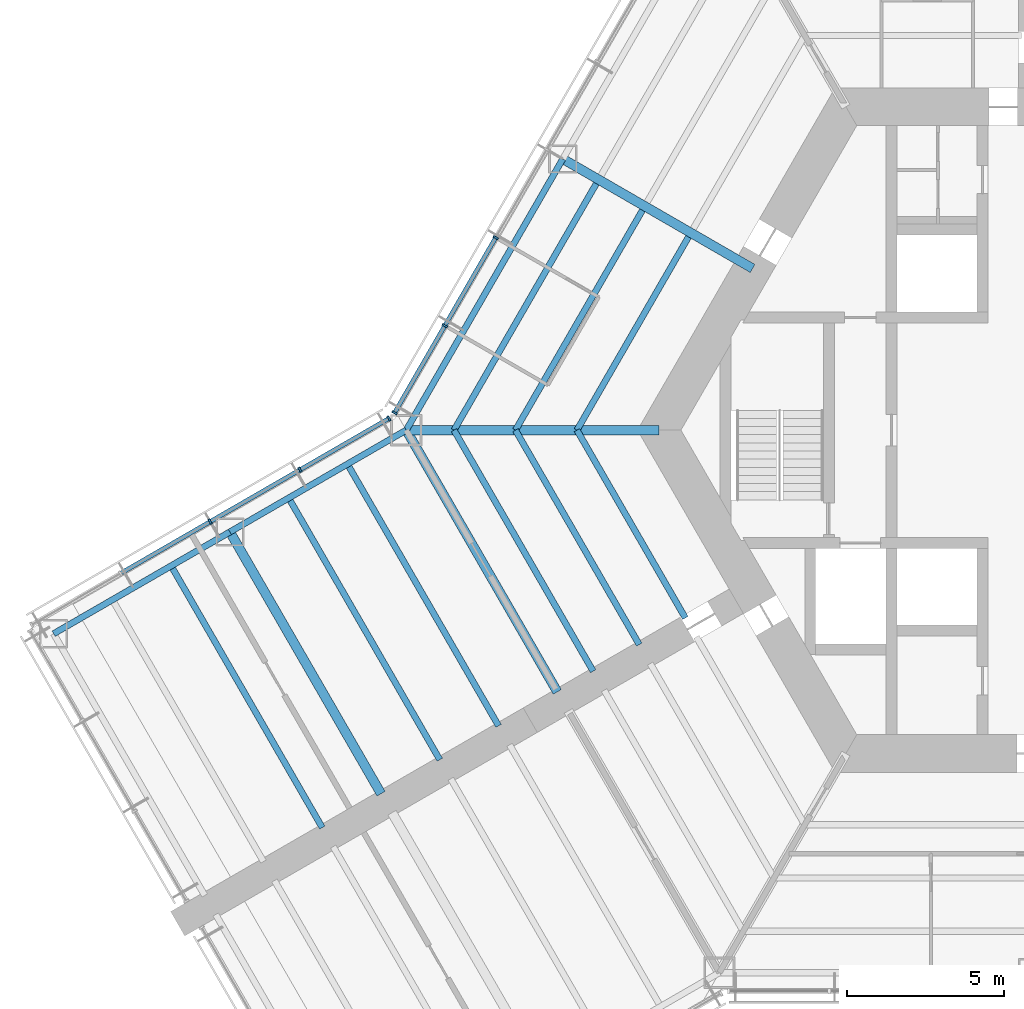
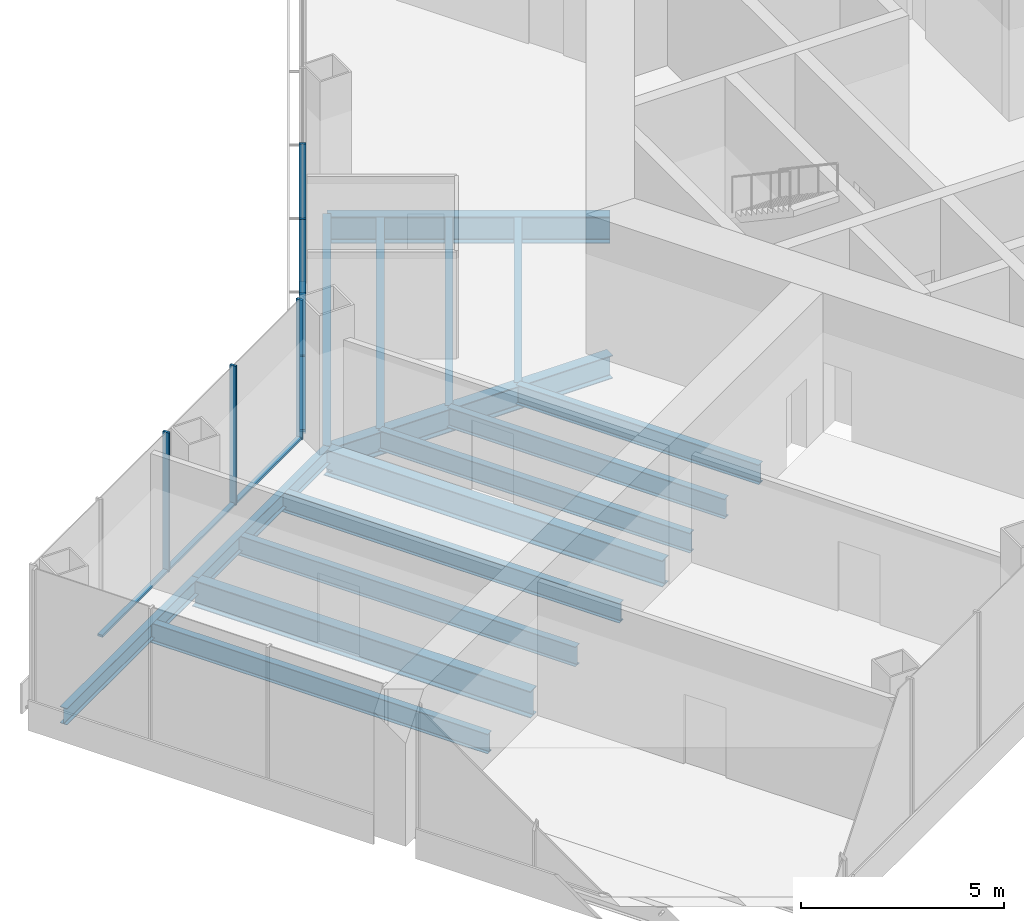
# One storey, part 3 of 16: 16 beams, 11 members, 2 elements without a shape of their own.
"""IFC4 building model written with IfcOpenShell, lengths in metres."""

import ifcopenshell
import ifcopenshell.guid

model = None  # the IFC model being written
_history = None  # IfcOwnerHistory: only IFC2X3 demands one
_inside = {}  # id of a spatial element -> (the spatial element, [elements in it])
_under = {}  # id of a project, library or spatial element -> (it, [spatial elements below it])
_declared = {}  # id of a project -> (the project, [libraries it declares])
_typed = {}  # id of a type object -> (the type object, [elements of that type])
_made_of = {}  # id of a material, layer set ... -> (it, [elements and type objects made of it])


def new_model(schema):
    """Start an empty IFC model of exactly this schema.

    Asked for "IFC4X3", IfcOpenShell would pick the latest addendum, in which some entities
    have other attributes; the version numbers below select the first issue.
    IFC2X3 requires an IfcOwnerHistory on every rooted entity: one is made here for all.
    """
    global model, _history
    if schema == "IFC4X3":
        model = ifcopenshell.file(schema_version=(4, 3, 0, 0))
    else:
        model = ifcopenshell.file(schema=schema)
    _inside.clear()
    _under.clear()
    _declared.clear()
    _typed.clear()
    _made_of.clear()
    _history = None
    if model.schema == "IFC2X3":
        org = make("IfcOrganization", Name="unknown")
        user = make(
            "IfcPersonAndOrganization",
            ThePerson=make("IfcPerson", FamilyName="unknown"),
            TheOrganization=org,
        )
        app = make(
            "IfcApplication",
            ApplicationDeveloper=org,
            Version="unknown",
            ApplicationFullName="unknown",
            ApplicationIdentifier="unknown",
        )
        _history = make(
            "IfcOwnerHistory",
            OwningUser=user,
            OwningApplication=app,
            ChangeAction="ADDED",
            CreationDate=0,
        )
    return model


def make(cls, **values):
    """One entity of the class cls with the attributes given. An attribute that is None is left unset."""
    return model.create_entity(
        cls, **{name: value for name, value in values.items() if value is not None}
    )


def rooted(cls, **values):
    """An entity with a GlobalId (a new one), such as an element, a storey or a relation."""
    return make(cls, GlobalId=ifcopenshell.guid.new(), OwnerHistory=_history, **values)


def si_unit(unit_type, name, prefix=None):
    """IfcSIUnit, for example si_unit("LENGTHUNIT", "METRE", prefix="MILLI")."""
    return make("IfcSIUnit", UnitType=unit_type, Prefix=prefix, Name=name)


def assignment(units):
    """IfcUnitAssignment: the units of a project."""
    return None if units is None else make("IfcUnitAssignment", Units=units)


def point(xyz):
    """IfcCartesianPoint."""
    return None if xyz is None else make("IfcCartesianPoint", Coordinates=xyz)


def direction(xyz):
    """IfcDirection."""
    return None if xyz is None else make("IfcDirection", DirectionRatios=xyz)


def frame(location, z_axis=None, x_axis=None):
    """IfcAxis2Placement3D, a coordinate frame: its origin and axes. An axis left out is left unset."""
    return make(
        "IfcAxis2Placement3D",
        Location=point(location),
        Axis=direction(z_axis),
        RefDirection=direction(x_axis),
    )


def frame_2d(location, x_axis=None):
    """IfcAxis2Placement2D, a coordinate frame in the plane: its origin and x axis."""
    return make(
        "IfcAxis2Placement2D", Location=point(location), RefDirection=direction(x_axis)
    )


def origin():
    """The frame at (0, 0, 0) with its axes left unset."""
    return frame((0.0, 0.0, 0.0))


def origin_2d():
    """The frame at (0, 0) in the plane with its x axis left unset."""
    return frame_2d((0.0, 0.0))


def place(relative_to, where):
    """IfcLocalPlacement: puts the frame where relative to a parent placement (None: the world)."""
    return make(
        "IfcLocalPlacement", PlacementRelTo=relative_to, RelativePlacement=where
    )


def context(
    kind, dimensions, precision=None, world=None, true_north=None, identifier=None
):
    """IfcGeometricRepresentationContext, for example the 3D "Model" context."""
    return make(
        "IfcGeometricRepresentationContext",
        ContextIdentifier=identifier,
        ContextType=kind,
        CoordinateSpaceDimension=dimensions,
        Precision=precision,
        WorldCoordinateSystem=world,
        TrueNorth=true_north,
    )


def subcontext(parent, identifier, kind, view, scale=None):
    """IfcGeometricRepresentationSubContext, for example "Body" below "Model"."""
    return make(
        "IfcGeometricRepresentationSubContext",
        ContextIdentifier=identifier,
        ContextType=kind,
        ParentContext=parent,
        TargetScale=scale,
        TargetView=view,
    )


def project(units=None, contexts=None):
    """IfcProject with its units and contexts."""
    return rooted(
        "IfcProject",
        Name="project",
        RepresentationContexts=contexts,
        UnitsInContext=assignment(units),
    )


def spatial(cls, under=None, at=None, **own):
    """A site, building, storey or space (cls), placed at a placement, below another one or the project."""
    s = rooted(cls, ObjectPlacement=at, **own)
    if under is not None:
        _under.setdefault(under.id(), (under, []))[1].append(s)
    return s


def profile(cls, at=None, kind="AREA", **sizes):
    """A parametric profile (cls). Its sizes go by their IFC names, for example OverallWidth=200.0."""
    return make(cls, ProfileType=kind, Position=at, **sizes)


def rectangle(**sizes):
    """IfcRectangleProfileDef."""
    return profile("IfcRectangleProfileDef", **sizes)


def i_section(**sizes):
    """IfcIShapeProfileDef."""
    return profile("IfcIShapeProfileDef", **sizes)


def extrude(swept, where, along, depth):
    """IfcExtrudedAreaSolid: the profile swept, set in the frame where, extruded along a direction by depth."""
    return make(
        "IfcExtrudedAreaSolid",
        SweptArea=swept,
        Position=where,
        ExtrudedDirection=direction(along),
        Depth=depth,
    )


def shape(context_of_items, identifier, shape_type, items):
    """IfcShapeRepresentation: the items that make up one representation, for example the "Body"."""
    return make(
        "IfcShapeRepresentation",
        ContextOfItems=context_of_items,
        RepresentationIdentifier=identifier,
        RepresentationType=shape_type,
        Items=items,
    )


def material(Name=None, Category=None):
    """IfcMaterial."""
    return make("IfcMaterial", Name=Name, Category=Category)


def material_profile(
    of_material, cross_section, Name=None, Category=None, Priority=None
):
    """IfcMaterialProfile: a cross section and its material."""
    return make(
        "IfcMaterialProfile",
        Name=Name,
        Material=of_material,
        Profile=cross_section,
        Priority=Priority,
        Category=Category,
    )


def profile_set(profiles, Name=None, composite=None):
    """IfcMaterialProfileSet."""
    return make(
        "IfcMaterialProfileSet",
        Name=Name,
        MaterialProfiles=profiles,
        CompositeProfile=composite,
    )


def made_of(thing, what):
    """Note that an element or type object is made of a material, layer set ...; save() writes the relation."""
    if what is not None:
        _made_of.setdefault(what.id(), (what, []))[1].append(thing)
    return thing


def type_object(cls, material=None, **own):
    """A type object (cls), such as IfcWallType, which elements share."""
    return made_of(rooted(cls, **own), material)


def element(
    cls,
    number,
    at=None,
    inside=None,
    cuts=None,
    type_object=None,
    material=None,
    context=None,
    identifier="Body",
    shape_type=None,
    held_by="IfcProductDefinitionShape",
    body=None,
    shapes=None,
    **own,
):
    """One element of the class cls, such as IfcWall. Its Tag is "e" and its number.

    at: its placement. inside: the storey or other place that contains it. cuts: it is an
    opening in that element (IfcRelVoidsElement). A single representation is given by context,
    identifier, shape_type and body (its items); several are given by shapes. held_by: the class
    of the entity that holds the representations. save() writes the other relations.
    """
    e = rooted(cls, Tag="e%d" % number, ObjectPlacement=at, **own)
    if body is not None:
        shapes = [shape(context, identifier, shape_type, body)]
    if shapes is not None:
        e.Representation = make(held_by, Representations=shapes)
    if inside is not None:
        _inside.setdefault(inside.id(), (inside, []))[1].append(e)
    if cuts is not None:
        rooted(
            "IfcRelVoidsElement", RelatingBuildingElement=cuts, RelatedOpeningElement=e
        )
    if type_object is not None:
        _typed.setdefault(type_object.id(), (type_object, []))[1].append(e)
    return made_of(e, material)


def aggregate(whole, parts):
    """IfcRelAggregates: a whole, such as a stair, and the parts it consists of."""
    return rooted("IfcRelAggregates", RelatingObject=whole, RelatedObjects=parts)


def save(model, path):
    """Write the relations noted so far, then the file.

    IfcRelAggregates (storeys below a building ...), IfcRelContainedInSpatialStructure (elements
    in a storey), IfcRelDefinesByType, IfcRelAssociatesMaterial and IfcRelDeclares: one each for
    every whole, place, type object, material and project.
    """
    for whole, parts in _under.values():
        aggregate(whole, parts)
    for where, things in _inside.values():
        rooted(
            "IfcRelContainedInSpatialStructure",
            RelatedElements=things,
            RelatingStructure=where,
        )
    for kind, things in _typed.values():
        rooted("IfcRelDefinesByType", RelatedObjects=things, RelatingType=kind)
    for what, things in _made_of.values():
        rooted("IfcRelAssociatesMaterial", RelatedObjects=things, RelatingMaterial=what)
    for by, libraries in _declared.values():
        rooted("IfcRelDeclares", RelatingContext=by, RelatedDefinitions=libraries)
    model.write(path)


model = new_model("IFC4")

# Units and contexts
model_context = context("Model", 3, precision=1e-05, world=origin(), true_north=direction((0.0, 1.0)))
body_context = subcontext(model_context, "Body", "Model", "MODEL_VIEW")
ifc_project = project(units=[si_unit("LENGTHUNIT", "METRE"), si_unit("AREAUNIT", "SQUARE_METRE"), si_unit("VOLUMEUNIT", "CUBIC_METRE"), si_unit("PLANEANGLEUNIT", "RADIAN"), si_unit("MASSUNIT", "GRAM", prefix="KILO")], contexts=[model_context])

# Site, building, storey
site_placement = place(None, origin())
site = spatial("IfcSite", under=ifc_project, at=site_placement, CompositionType="ELEMENT")
building_placement = place(site_placement, origin())
building = spatial("IfcBuilding", under=site, at=building_placement, Name="Kasaneha Research Tower", CompositionType="ELEMENT")
storey_placement = place(building_placement, frame((0.0, 0.0, 26.800048828125)))
storey = spatial("IfcBuildingStorey", under=building, at=storey_placement, Name="L07", CompositionType="ELEMENT", Elevation=26.800048828125)

# Beams
ifc_material_1 = material(Name="Steel SN490B", Category="steel")
ifc_material_profile_1 = material_profile(ifc_material_1, i_section(OverallWidth=0.199951171875, OverallDepth=0.60009765625, WebThickness=0.010986328125, FlangeThickness=0.01708984375, FilletRadius=0.012939453125, at=origin_2d()), Name="H-600x200x11x17")
ifc_profile_set_1 = profile_set([ifc_material_profile_1], Name="Steel SN490B")
beam_type_1 = type_object("IfcBeamType", Name="B1-1 secondary beam H-600x200x11x17", PredefinedType="JOIST", material=ifc_profile_set_1)
beam_1_placement = place(storey_placement, frame((-14.54931640625, 0.0, -0.5), z_axis=(0.500016104636, 0.866016105569, 0.0), x_axis=(-0.866016105569, 0.500016104636, 0.0)))
element("IfcBeam", 1, at=beam_1_placement, inside=storey, type_object=beam_type_1, Name="Secondary beam RS150R1 L07", PredefinedType="JOIST", context=body_context, shape_type="SweptSolid", body=[
    extrude(i_section(OverallWidth=0.199951171875, OverallDepth=0.60009765625, WebThickness=0.010986328125, FlangeThickness=0.01708984375, FilletRadius=0.012939453125, at=origin_2d()), origin(), (0.0, 0.0, 1.0), 7.124755859375),
])
beam_2_placement = place(storey_placement, frame((-16.51220703125, 0.0, -0.5), z_axis=(0.49999707157, 0.866027094508, 0.0), x_axis=(-0.866027094508, 0.49999707157, 0.0)))
element("IfcBeam", 2, at=beam_2_placement, inside=storey, type_object=beam_type_1, Name="Secondary beam RS150R2 L07", PredefinedType="JOIST", context=body_context, shape_type="SweptSolid", body=[
    extrude(i_section(OverallWidth=0.199951171875, OverallDepth=0.60009765625, WebThickness=0.010986328125, FlangeThickness=0.01708984375, FilletRadius=0.012939453125, at=origin_2d()), origin(), (0.0, 0.0, 1.0), 8.10595703125),
])
beam_3_placement = place(storey_placement, frame((-18.47509765625, 0.0, -0.5), z_axis=(0.499990665392, 0.866030793056, 0.0), x_axis=(-0.866030793056, 0.499990665392, 0.0)))
element("IfcBeam", 3, at=beam_3_placement, inside=storey, type_object=beam_type_1, Name="Secondary beam RS150R3 L07", PredefinedType="JOIST", context=body_context, shape_type="SweptSolid", body=[
    extrude(i_section(OverallWidth=0.199951171875, OverallDepth=0.60009765625, WebThickness=0.010986328125, FlangeThickness=0.01708984375, FilletRadius=0.012939453125, at=origin_2d()), origin(), (0.0, 0.0, 1.0), 9.087646484375),
])
beam_4_placement = place(storey_placement, frame((-14.54931640625, 0.0, -0.5), z_axis=(0.500014420154, -0.866017078145, 0.0), x_axis=(0.866017078145, 0.500014420154, 0.0)))
element("IfcBeam", 4, at=beam_4_placement, inside=storey, type_object=beam_type_1, Name="Secondary beam RS210L1 L07", PredefinedType="JOIST", context=body_context, shape_type="SweptSolid", body=[
    extrude(i_section(OverallWidth=0.199951171875, OverallDepth=0.60009765625, WebThickness=0.010986328125, FlangeThickness=0.01708984375, FilletRadius=0.012939453125, at=origin_2d()), origin(), (0.0, 0.0, 1.0), 6.924560546875),
])
beam_5_placement = place(storey_placement, frame((-16.51220703125, 0.0, -0.5), z_axis=(0.500004902938, -0.866022573054, 0.0), x_axis=(0.866022573054, 0.500004902938, 0.0)))
element("IfcBeam", 5, at=beam_5_placement, inside=storey, type_object=beam_type_1, Name="Secondary beam RS210L2 L07", PredefinedType="JOIST", context=body_context, shape_type="SweptSolid", body=[
    extrude(i_section(OverallWidth=0.199951171875, OverallDepth=0.60009765625, WebThickness=0.010986328125, FlangeThickness=0.01708984375, FilletRadius=0.012939453125, at=origin_2d()), origin(), (0.0, 0.0, 1.0), 7.90625),
])
beam_6_placement = place(storey_placement, frame((-18.47509765625, 0.0, -0.5), z_axis=(0.499988779951, -0.866031881586, 0.0), x_axis=(0.866031881586, 0.499988779951, 0.0)))
element("IfcBeam", 6, at=beam_6_placement, inside=storey, type_object=beam_type_1, Name="Secondary beam RS210L3 L07", PredefinedType="JOIST", context=body_context, shape_type="SweptSolid", body=[
    extrude(i_section(OverallWidth=0.199951171875, OverallDepth=0.60009765625, WebThickness=0.010986328125, FlangeThickness=0.01708984375, FilletRadius=0.012939453125, at=origin_2d()), origin(), (0.0, 0.0, 1.0), 8.887451171875),
])
ifc_material_2 = material(Name="Steel SN490B", Category="steel")
ifc_material_profile_2 = material_profile(ifc_material_2, i_section(OverallWidth=0.198974609375, OverallDepth=0.595947265625, WebThickness=0.010009765625, FlangeThickness=0.014892578125, FilletRadius=0.012939453125, at=origin_2d()), Name="H-596x199x10x15")
ifc_profile_set_2 = profile_set([ifc_material_profile_2], Name="Steel SN490B")
beam_type_2 = type_object("IfcBeamType", Name="B2-1 secondary beam H-596x199x10x15", PredefinedType="JOIST", material=ifc_profile_set_2)
beam_7_placement = place(storey_placement, frame((-21.87646484375, -1.083251953125, -0.498046875), z_axis=(0.500013717211, -0.866017484004, 0.0), x_axis=(0.866017484004, 0.500013717211, 0.0)))
element("IfcBeam", 7, at=beam_7_placement, inside=storey, type_object=beam_type_2, Name="Secondary beam WBBP1 L07", PredefinedType="JOIST", context=body_context, shape_type="SweptSolid", body=[
    extrude(i_section(OverallWidth=0.198974609375, OverallDepth=0.595947265625, WebThickness=0.010009765625, FlangeThickness=0.014892578125, FilletRadius=0.012939453125, at=origin_2d()), origin(), (0.0, 0.0, 1.0), 9.650146484375),
])
for number, where, z_axis, x_axis, name in (
    (8, (-23.752685546875, -2.166748046875, -0.498046875), (0.499994742786, -0.866028439017, 0.0), (0.866028439017, 0.499994742786, 0.0), "Secondary beam WBBP2 L07"),
    (9, (-27.505615234375, -4.333251953125, -0.498046875), (0.499994742786, -0.866028439017, 0.0), (0.866028439017, 0.499994742786, 0.0), "Secondary beam WBBP3 L07"),
):
    element("IfcBeam", number, at=place(storey_placement, frame(where, z_axis=z_axis, x_axis=x_axis)), inside=storey, type_object=beam_type_2, Name=name, PredefinedType="JOIST", context=body_context, shape_type="SweptSolid", body=[
        extrude(i_section(OverallWidth=0.198974609375, OverallDepth=0.595947265625, WebThickness=0.010009765625, FlangeThickness=0.014892578125, FilletRadius=0.012939453125, at=origin_2d()), origin(), (0.0, 0.0, 1.0), 9.64990234375),
    ])

# Curtain wall, members
ifc_material_3 = material(Name="Glass and aluminium", Category="aluminium")
curtain_wall_type = type_object("IfcCurtainWallType", Name="Wet laboratory curtain wall", PredefinedType="USERDEFINED", material=ifc_material_3)
curtain_wall_1_placement = place(storey_placement, origin())
curtain_wall_1 = element("IfcCurtainWall", 10, at=curtain_wall_1_placement, inside=storey, type_object=curtain_wall_type, Name="CW-L1 L07 run 12a", ObjectType="UNITISED CURTAIN WALL", PredefinedType="USERDEFINED")
ifc_material_4 = material(Name="Aluminium 6063-T6", Category="aluminium")
ifc_material_profile_3 = material_profile(ifc_material_4, rectangle(XDim=0.06494140625, YDim=0.179931640625, at=origin_2d()), Name="CW-L1 mullion 65x180")
ifc_profile_set_3 = profile_set([ifc_material_profile_3], Name="Aluminium 6063-T6")
member_type_1 = type_object("IfcMemberType", Name="CW-L1 mullion", PredefinedType="MULLION", material=ifc_profile_set_3)
member_1_placement = place(storey_placement, frame((-17.142822265625, 6.148681640625, 0.0), z_axis=(0.0, 0.0, 1.0), x_axis=(-0.49999996188, -0.866025425793, 0.0)))
member_1 = element("IfcMember", 11, at=member_1_placement, type_object=member_type_1, Name="CW-L1 mullion 5", PredefinedType="MULLION", context=body_context, shape_type="SweptSolid", body=[
    extrude(rectangle(XDim=0.06494140625, YDim=0.179931640625, at=origin_2d()), origin(), (0.0, 0.0, 1.0), 4.199951171875),
])
member_2_placement = place(storey_placement, frame((-18.76611328125, 3.33740234375, 0.0), z_axis=(0.0, 0.0, 1.0), x_axis=(-0.49999996188, -0.866025425793, 0.0)))
member_2 = element("IfcMember", 12, at=member_2_placement, type_object=member_type_1, Name="CW-L1 mullion 6", PredefinedType="MULLION", context=body_context, shape_type="SweptSolid", body=[
    extrude(rectangle(XDim=0.06494140625, YDim=0.179931640625, at=origin_2d()), origin(), (0.0, 0.0, 1.0), 4.199951171875),
])
member_3_placement = place(storey_placement, frame((-20.373046875, 0.553955078125, 0.0), z_axis=(0.0, 0.0, 1.0), x_axis=(-0.49999996188, -0.866025425793, 0.0)))
member_3 = element("IfcMember", 13, at=member_3_placement, type_object=member_type_1, Name="CW-L1 mullion 7", PredefinedType="MULLION", context=body_context, shape_type="SweptSolid", body=[
    extrude(rectangle(XDim=0.06494140625, YDim=0.179931640625, at=origin_2d()), origin(), (0.0, 0.0, 1.0), 4.199951171875),
])

curtain_wall_2_placement = place(storey_placement, origin())
curtain_wall_2 = element("IfcCurtainWall", 14, at=curtain_wall_2_placement, inside=storey, type_object=curtain_wall_type, Name="CW-L1 L07 run 13a", ObjectType="UNITISED CURTAIN WALL", PredefinedType="USERDEFINED")
member_4_placement = place(storey_placement, frame((-20.553955078125, 0.373046875, 0.0), z_axis=(0.0, 0.0, 1.0), x_axis=(-0.866025411464, -0.499999986699, 0.0)))
member_4 = element("IfcMember", 15, at=member_4_placement, type_object=member_type_1, Name="CW-L1 mullion 1", PredefinedType="MULLION", context=body_context, shape_type="SweptSolid", body=[
    extrude(rectangle(XDim=0.06494140625, YDim=0.179931640625, at=origin_2d()), origin(), (0.0, 0.0, 1.0), 4.199951171875),
])
member_5_placement = place(storey_placement, frame((-23.39208984375, -1.265625, 0.0), z_axis=(0.0, 0.0, 1.0), x_axis=(-0.866025411464, -0.499999986699, 0.0)))
member_5 = element("IfcMember", 16, at=member_5_placement, type_object=member_type_1, Name="CW-L1 mullion 2", PredefinedType="MULLION", context=body_context, shape_type="SweptSolid", body=[
    extrude(rectangle(XDim=0.06494140625, YDim=0.179931640625, at=origin_2d()), origin(), (0.0, 0.0, 1.0), 4.199951171875),
])
member_6_placement = place(storey_placement, frame((-26.258544921875, -2.920654296875, 0.0), z_axis=(0.0, 0.0, 1.0), x_axis=(-0.866025411464, -0.499999986699, 0.0)))
member_6 = element("IfcMember", 17, at=member_6_placement, type_object=member_type_1, Name="CW-L1 mullion 3", PredefinedType="MULLION", context=body_context, shape_type="SweptSolid", body=[
    extrude(rectangle(XDim=0.06494140625, YDim=0.179931640625, at=origin_2d()), origin(), (0.0, 0.0, 1.0), 4.199951171875),
])

# Member
ifc_material_5 = material(Name="Aluminium 6063-T6", Category="aluminium")
ifc_material_profile_4 = material_profile(ifc_material_5, rectangle(XDim=0.139892578125, YDim=0.06494140625, at=origin_2d()), Name="CW-L1 transom 140x65")
ifc_profile_set_4 = profile_set([ifc_material_profile_4], Name="Aluminium 6063-T6")
member_type_2 = type_object("IfcMemberType", Name="CW-L1 transom", PredefinedType="USERDEFINED", material=ifc_profile_set_4)
member_7_placement = place(storey_placement, frame((-17.1591796875, 6.12060546875, 0.032470703125), z_axis=(-0.499977104415, -0.866038622153, 0.0), x_axis=(0.866038622153, -0.499977104415, 0.0)))
member_7 = element("IfcMember", 18, at=member_7_placement, type_object=member_type_2, Name="CW-L1 transom 5", ObjectType="TRANSOM", PredefinedType="USERDEFINED", context=body_context, shape_type="SweptSolid", body=[
    extrude(rectangle(XDim=0.139892578125, YDim=0.06494140625, at=origin_2d()), origin(), (0.0, 0.0, 1.0), 3.181396484375),
])

member_8_placement = place(storey_placement, frame((-18.7822265625, 3.30908203125, 0.032470703125), z_axis=(-0.49999985423, -0.866025487945, 0.0), x_axis=(0.866025487945, -0.49999985423, 0.0)))
member_8 = element("IfcMember", 19, at=member_8_placement, type_object=member_type_2, Name="CW-L1 transom 6", ObjectType="TRANSOM", PredefinedType="USERDEFINED", context=body_context, shape_type="SweptSolid", body=[
    extrude(rectangle(XDim=0.139892578125, YDim=0.06494140625, at=origin_2d()), origin(), (0.0, 0.0, 1.0), 3.14892578125),
])

aggregate(curtain_wall_1, [member_1, member_2, member_3, member_7, member_8])

member_9_placement = place(storey_placement, frame((-20.58203125, 0.356689453125, 0.032470703125), z_axis=(-0.866022320763, -0.500005339912, 0.0), x_axis=(0.500005339912, -0.866022320763, 0.0)))
member_9 = element("IfcMember", 20, at=member_9_placement, type_object=member_type_2, Name="CW-L1 transom 1", ObjectType="TRANSOM", PredefinedType="USERDEFINED", context=body_context, shape_type="SweptSolid", body=[
    extrude(rectangle(XDim=0.139892578125, YDim=0.06494140625, at=origin_2d()), origin(), (0.0, 0.0, 1.0), 3.21240234375),
])

member_10_placement = place(storey_placement, frame((-23.42041015625, -1.281982421875, 0.032470703125), z_axis=(-0.866035229914, -0.499982980259, 0.0), x_axis=(0.499982980259, -0.866035229914, 0.0)))
member_10 = element("IfcMember", 21, at=member_10_placement, type_object=member_type_2, Name="CW-L1 transom 2", ObjectType="TRANSOM", PredefinedType="USERDEFINED", context=body_context, shape_type="SweptSolid", body=[
    extrude(rectangle(XDim=0.139892578125, YDim=0.06494140625, at=origin_2d()), origin(), (0.0, 0.0, 1.0), 3.24462890625),
])

member_11_placement = place(storey_placement, frame((-26.28662109375, -2.936767578125, 0.032470703125), z_axis=(-0.866021460221, -0.500006830391, 0.0), x_axis=(0.500006830391, -0.866021460221, 0.0)))
member_11 = element("IfcMember", 22, at=member_11_placement, type_object=member_type_2, Name="CW-L1 transom 3", ObjectType="TRANSOM", PredefinedType="USERDEFINED", context=body_context, shape_type="SweptSolid", body=[
    extrude(rectangle(XDim=0.139892578125, YDim=0.06494140625, at=origin_2d()), origin(), (0.0, 0.0, 1.0), 3.2451171875),
])

aggregate(curtain_wall_2, [member_4, member_5, member_6, member_9, member_10, member_11])

# Beams
ifc_material_6 = material(Name="Steel SN490B", Category="steel")
ifc_material_profile_5 = material_profile(ifc_material_6, i_section(OverallWidth=0.300048828125, OverallDepth=0.699951171875, WebThickness=0.012939453125, FlangeThickness=0.02392578125, FilletRadius=0.01806640625, at=origin_2d()), Name="H-700x300x13x24")
ifc_profile_set_5 = profile_set([ifc_material_profile_5], Name="Steel SN490B")
beam_type_3 = type_object("IfcBeamType", Name="G1-1 radial girder H-700x300x13x24", PredefinedType="BEAM", material=ifc_profile_set_5)
beam_8_placement = place(storey_placement, frame((-11.92236328125, 0.0, -0.550048828125), z_axis=(-1.0, 0.0, 0.0), x_axis=(0.0, -1.0, 0.0)))
element("IfcBeam", 23, at=beam_8_placement, inside=storey, type_object=beam_type_3, Name="Radial girder RV180 L07", PredefinedType="BEAM", context=body_context, shape_type="SweptSolid", body=[
    extrude(i_section(OverallWidth=0.300048828125, OverallDepth=0.699951171875, WebThickness=0.012939453125, FlangeThickness=0.02392578125, FilletRadius=0.01806640625, at=origin_2d()), origin(), (0.0, 0.0, 1.0), 8.07763671875),
])
ifc_material_7 = material(Name="Steel SN490B", Category="steel")
ifc_material_profile_6 = material_profile(ifc_material_7, i_section(OverallWidth=0.300048828125, OverallDepth=0.800048828125, WebThickness=0.013916015625, FlangeThickness=0.02587890625, FilletRadius=0.01806640625, at=origin_2d()), Name="H-800x300x14x26")
ifc_profile_set_6 = profile_set([ifc_material_profile_6], Name="Steel SN490B")
beam_type_4 = type_object("IfcBeamType", Name="G2-1 radial girder H-800x300x14x26", PredefinedType="BEAM", material=ifc_profile_set_6)
beam_9_placement = place(storey_placement, frame((-8.941650390625, 5.16259765625, -0.60009765625), z_axis=(-0.866039713508, 0.499975214012, 0.0), x_axis=(-0.499975214012, -0.866039713508, 0.0)))
element("IfcBeam", 24, at=beam_9_placement, inside=storey, type_object=beam_type_4, Name="Radial girder RM150 L07", PredefinedType="BEAM", context=body_context, shape_type="SweptSolid", body=[
    extrude(i_section(OverallWidth=0.300048828125, OverallDepth=0.800048828125, WebThickness=0.013916015625, FlangeThickness=0.02587890625, FilletRadius=0.01806640625, at=origin_2d()), origin(), (0.0, 0.0, 1.0), 6.995361328125),
])
ifc_material_8 = material(Name="Steel SN490B", Category="steel")
ifc_material_profile_7 = material_profile(ifc_material_8, i_section(OverallWidth=0.300048828125, OverallDepth=0.7919921875, WebThickness=0.013916015625, FlangeThickness=0.02197265625, FilletRadius=0.01806640625, at=origin_2d()), Name="H-792x300x14x22")
ifc_profile_set_7 = profile_set([ifc_material_profile_7], Name="Steel SN490B")
beam_type_5 = type_object("IfcBeamType", Name="G3-1 plate edge girder H-792x300x14x22", PredefinedType="BEAM", material=ifc_profile_set_7)
beam_10_placement = place(storey_placement, frame((-20.0, 0.0, -0.595947265625), z_axis=(0.499994742786, -0.866028439017, 0.0), x_axis=(0.866028439017, 0.499994742786, 0.0)))
element("IfcBeam", 25, at=beam_10_placement, inside=storey, type_object=beam_type_5, Name="Plate edge girder PEBP L07", PredefinedType="BEAM", context=body_context, shape_type="SweptSolid", body=[
    extrude(i_section(OverallWidth=0.300048828125, OverallDepth=0.7919921875, WebThickness=0.013916015625, FlangeThickness=0.02197265625, FilletRadius=0.01806640625, at=origin_2d()), origin(), (0.0, 0.0, 1.0), 9.64990234375),
])
ifc_material_9 = material(Name="Steel SN490B", Category="steel")
ifc_material_profile_8 = material_profile(ifc_material_9, i_section(OverallWidth=0.300048828125, OverallDepth=0.800048828125, WebThickness=0.013916015625, FlangeThickness=0.02587890625, FilletRadius=0.01806640625, at=origin_2d()), Name="H-800x300x14x26")
ifc_profile_set_8 = profile_set([ifc_material_profile_8], Name="Steel SN490B")
beam_type_6 = type_object("IfcBeamType", Name="G4-1 wing girder H-800x300x14x26", PredefinedType="BEAM", material=ifc_profile_set_8)
beam_11_placement = place(storey_placement, frame((-25.629150390625, -3.25, -0.60009765625), z_axis=(0.499994742786, -0.866028439017, 0.0), x_axis=(0.866028439017, 0.499994742786, 0.0)))
element("IfcBeam", 26, at=beam_11_placement, inside=storey, type_object=beam_type_6, Name="Wing girder WGBP L07", PredefinedType="BEAM", context=body_context, shape_type="SweptSolid", body=[
    extrude(i_section(OverallWidth=0.300048828125, OverallDepth=0.800048828125, WebThickness=0.013916015625, FlangeThickness=0.02587890625, FilletRadius=0.01806640625, at=origin_2d()), origin(), (0.0, 0.0, 1.0), 9.64990234375),
])
ifc_material_10 = material(Name="Steel SN490B", Category="steel")
ifc_material_profile_9 = material_profile(ifc_material_10, i_section(OverallWidth=0.199951171875, OverallDepth=0.60009765625, WebThickness=0.010986328125, FlangeThickness=0.01708984375, FilletRadius=0.012939453125, at=origin_2d()), Name="H-600x200x11x17")
ifc_profile_set_9 = profile_set([ifc_material_profile_9], Name="Steel SN490B")
beam_type_7 = type_object("IfcBeamType", Name="SB1-1 spandrel beam H-600x200x11x17", PredefinedType="SPANDREL", material=ifc_profile_set_9)
beam_12_placement = place(storey_placement, frame((-20.0, 0.0, -0.5), z_axis=(0.500004234368, 0.866022959057, 0.0), x_axis=(-0.866022959057, 0.500004234368, 0.0)))
element("IfcBeam", 27, at=beam_12_placement, inside=storey, type_object=beam_type_7, Name="Spandrel beam SR150R L07", PredefinedType="SPANDREL", context=body_context, shape_type="SweptSolid", body=[
    extrude(i_section(OverallWidth=0.199951171875, OverallDepth=0.60009765625, WebThickness=0.010986328125, FlangeThickness=0.01708984375, FilletRadius=0.012939453125, at=origin_2d()), origin(), (0.0, 0.0, 1.0), 10.0),
])
ifc_material_11 = material(Name="Steel SN490B", Category="steel")
ifc_material_profile_10 = material_profile(ifc_material_11, i_section(OverallWidth=0.199951171875, OverallDepth=0.5, WebThickness=0.010009765625, FlangeThickness=0.01611328125, FilletRadius=0.012939453125, at=origin_2d()), Name="H-500x200x10x16")
ifc_profile_set_10 = profile_set([ifc_material_profile_10], Name="Steel SN490B")
beam_type_8 = type_object("IfcBeamType", Name="SB2-1 spandrel beam H-500x200x10x16", PredefinedType="SPANDREL", material=ifc_profile_set_10)
for number, where, z_axis, x_axis, name in (
    (28, (-20.0, 0.0, -0.449951171875), (-0.866024837091, -0.50000098154, 0.0), (0.50000098154, -0.866024837091, 0.0), "Spandrel beam WSBP1 L07"),
    (29, (-25.629150390625, -3.25, -0.449951171875), (-0.866024837091, -0.50000098154, 0.0), (0.50000098154, -0.866024837091, 0.0), "Spandrel beam WSBP2 L07"),
):
    element("IfcBeam", number, at=place(storey_placement, frame(where, z_axis=z_axis, x_axis=x_axis)), inside=storey, type_object=beam_type_8, Name=name, PredefinedType="SPANDREL", context=body_context, shape_type="SweptSolid", body=[
        extrude(i_section(OverallWidth=0.199951171875, OverallDepth=0.5, WebThickness=0.010009765625, FlangeThickness=0.01611328125, FilletRadius=0.012939453125, at=origin_2d()), origin(), (0.0, 0.0, 1.0), 6.5),
    ])

save(model, "model.ifc")
